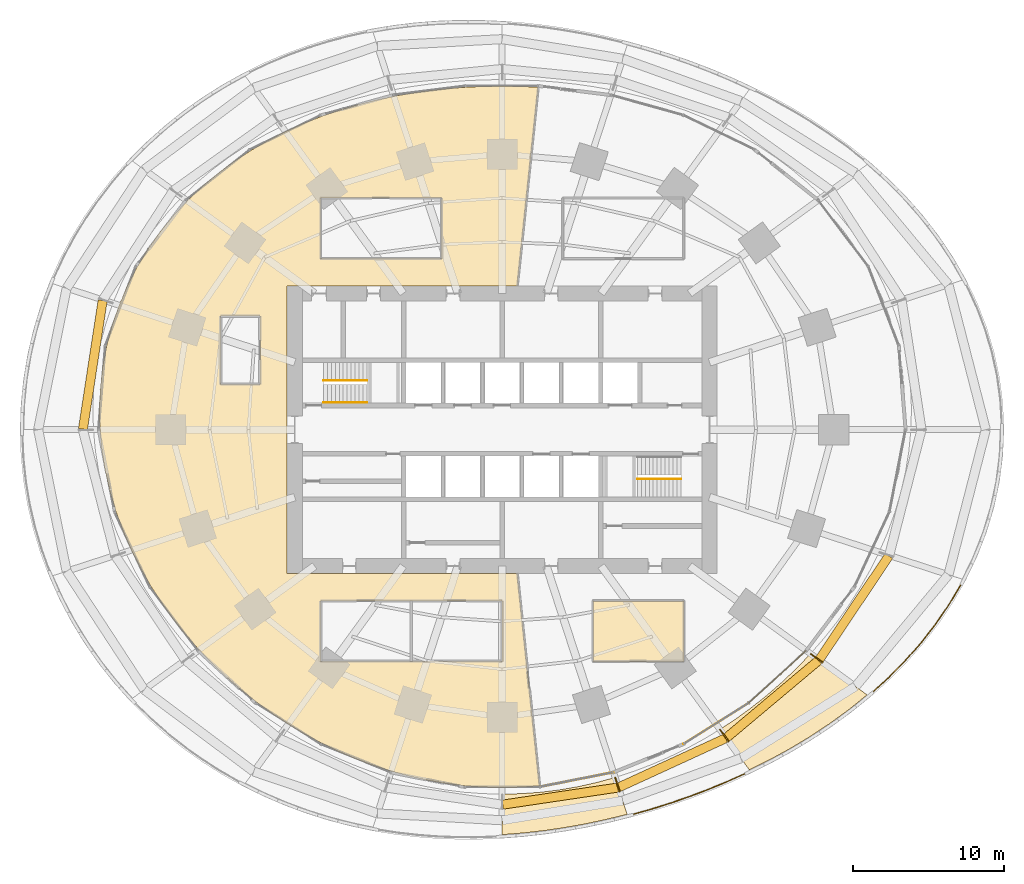
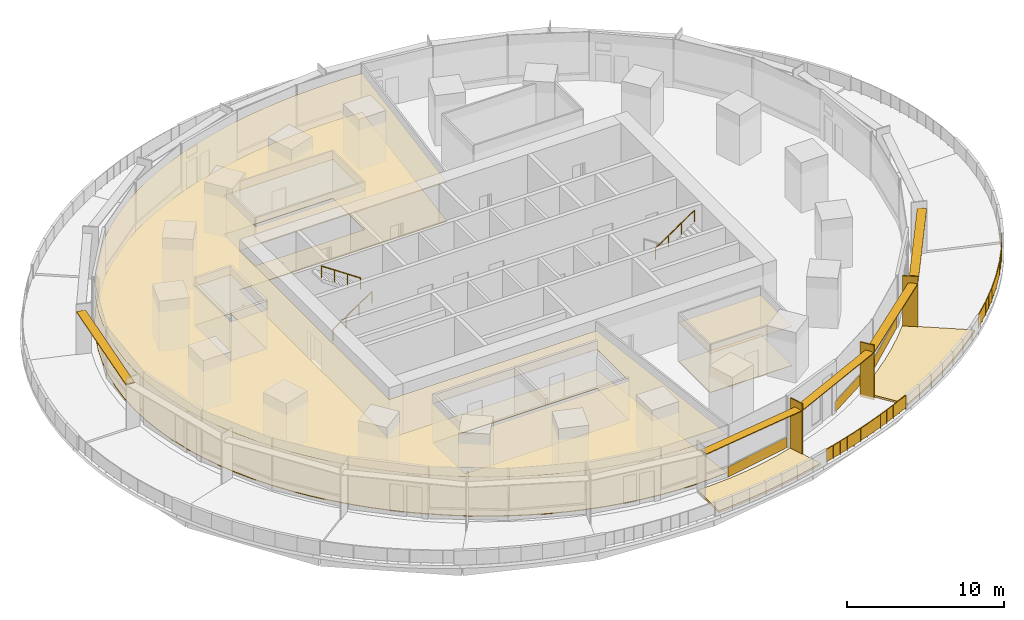
# One storey, part 18 of 20: 9 coverings, 8 shading devices, 5 railings.
"""IFC4 building model written with IfcOpenShell, lengths in metres."""

from ifc_helpers import new_model, si_unit, direction, frame, origin, origin_2d, place, context, subcontext, project, spatial, polyline, rectangle, circle, outline, extrude, material, layer, layer_set, type_object, element, save


model = new_model("IFC4")

# Units and contexts
model_context = context("Model", 3, precision=1e-05, world=origin(), true_north=direction((0.0, 1.0)))
body_context = subcontext(model_context, "Body", "Model", "MODEL_VIEW")
ifc_project = project(units=[si_unit("LENGTHUNIT", "METRE"), si_unit("AREAUNIT", "SQUARE_METRE"), si_unit("VOLUMEUNIT", "CUBIC_METRE"), si_unit("PLANEANGLEUNIT", "RADIAN"), si_unit("MASSUNIT", "GRAM", prefix="KILO")], contexts=[model_context])

# Site, building, storey
site_placement = place(None, origin())
site = spatial("IfcSite", under=ifc_project, at=site_placement, CompositionType="ELEMENT")
building_placement = place(site_placement, origin())
building = spatial("IfcBuilding", under=site, at=building_placement, Name="Marramba Exchange Tower", CompositionType="ELEMENT")
storey_placement = place(building_placement, frame((0.0, 0.0, 19.60009765625)))
storey = spatial("IfcBuildingStorey", under=building, at=storey_placement, Name="L04", CompositionType="ELEMENT", Elevation=19.60009765625)

# Shading devices
ifc_material_1 = material(Name="Aluminium blade, timber-look bronze finish", Category="wood")
ifc_layer_1 = layer(ifc_material_1, 0.080078125)
ifc_layer_set_1 = layer_set([ifc_layer_1], Name="Floor-edge blade 1000x80")
shading_device_type_1 = type_object("IfcShadingDeviceType", Name="Floor-edge blade 1000x80", PredefinedType="USERDEFINED", material=ifc_layer_set_1)
for number, where, z_axis, x_axis, name in (
    (1, (7.61767578125, -23.444580078125, -0.2001953125), (0.0, 0.0, 1.0), (0.309016994375, -0.951056516295, 0.0), "Floor-edge blade FB1 L04 TC17"),
    (2, (14.6787109375, -20.20361328125, -0.2001953125), (0.0, 0.0, 1.0), (0.587785252292, -0.809016994375, 0.0), "Floor-edge blade FB1 L04 TC18"),
    (3, (20.773193359375, -15.092529296875, -0.2001953125), (0.0, 0.0, 1.0), (0.809016994375, -0.587785252292, 0.0), "Floor-edge blade FB1 L04 TC19"),
):
    element("IfcShadingDevice", number, at=place(storey_placement, frame(where, z_axis=z_axis, x_axis=x_axis)), inside=storey, type_object=shading_device_type_1, Name=name, ObjectType="FIN", PredefinedType="USERDEFINED", context=body_context, shape_type="SweptSolid", body=[
        extrude(rectangle(XDim=1.0, YDim=0.080078125, at=origin_2d()), origin(), (0.0, 0.0, 1.0), 4.239990234375),
    ])

# Coverings
ifc_material_2 = material(Name="Extensive green roof: growing medium on drainage cell, filter fabric and root-barrier membrane")
ifc_layer_2 = layer(ifc_material_2, 0.14990234375)
ifc_layer_set_2 = layer_set([ifc_layer_2], Name="Planted roof build-up 150")
covering_type_1 = type_object("IfcCoveringType", Name="Planted roof build-up 150", PredefinedType="ROOFING", material=ifc_layer_set_2)
covering_1_placement = place(storey_placement, origin())
element("IfcCovering", 4, at=covering_1_placement, inside=storey, type_object=covering_type_1, Name="Planted roof build-up L04 bay 16", PredefinedType="ROOFING", context=body_context, shape_type="SweptSolid", body=[
    extrude(outline(polyline([(0.0, -24.072021484375), (1.260009765625, -24.041015625), (2.51708984375, -23.947998046875), (3.7685546875, -23.793701171875), (5.01171875, -23.578369140625), (6.244140625, -23.30322265625), (7.463134765625, -22.968994140625), (8.25537109375, -25.407470703125), (8.25537109375, -25.407470703125), (6.897216796875, -25.74072265625), (5.533203125, -26.031494140625), (4.162109375, -26.279296875), (2.783447265625, -26.48291015625), (1.396240234375, -26.640380859375), (0.0, -26.75), (0.0, -24.072021484375)])), origin(), (0.0, 0.0, 1.0), 0.14990234375),
])
covering_2_placement = place(storey_placement, origin())
element("IfcCovering", 5, at=covering_2_placement, inside=storey, type_object=covering_type_1, Name="Planted roof build-up L04 bay 18", PredefinedType="ROOFING", context=body_context, shape_type="SweptSolid", body=[
    extrude(outline(polyline([(14.385009765625, -19.799072265625), (15.457275390625, -19.088134765625), (16.501953125, -18.327392578125), (17.517578125, -17.517578125), (18.502197265625, -16.659423828125), (19.453369140625, -15.753173828125), (20.36865234375, -14.798583984375), (24.11083984375, -17.517578125), (24.11083984375, -17.517578125), (22.867431640625, -18.517578125), (21.593994140625, -19.443115234375), (20.297607421875, -20.297607421875), (18.98486328125, -21.084716796875), (17.660400390625, -21.808837890625), (16.328125, -22.4736328125), (16.328125, -22.4736328125), (14.385009765625, -19.799072265625)])), origin(), (0.0, 0.0, 1.0), 0.14990234375),
])
ifc_material_3 = material(Name="Steel raised access floor panels", Category="steel")
ifc_layer_3 = layer(ifc_material_3, 0.050048828125)
ifc_layer_set_3 = layer_set([ifc_layer_3], Name="Raised access floor 300")
covering_type_2 = type_object("IfcCoveringType", Name="Raised access floor 300", PredefinedType="FLOORING", material=ifc_layer_set_3)
covering_3_placement = place(storey_placement, frame((0.0, 0.0, 0.25)))
element("IfcCovering", 6, at=covering_3_placement, inside=storey, type_object=covering_type_2, Name="Raised access floor RAF1 L04 Index Operations Office", PredefinedType="FLOORING", context=body_context, shape_type="SweptSolid", body=[
    extrude(outline(polyline([(-14.199951171875, -9.5), (0.99853515625, -9.5), (2.47216796875, -23.5205078125), (1.2373046875, -23.611572265625), (0.0, -23.64208984375), (-1.2373046875, -23.611572265625), (-2.47216796875, -23.5205078125), (-3.701416015625, -23.368896484375), (-4.92236328125, -23.15771484375), (-6.1328125, -22.8876953125), (-7.330078125, -22.56005859375), (-8.512451171875, -22.17578125), (-9.677734375, -21.736328125), (-10.82373046875, -21.242919921875), (-11.94921875, -20.69677734375), (-13.052490234375, -20.09912109375), (-14.132080078125, -19.451171875), (-15.1865234375, -18.75390625), (-16.21435546875, -18.0078125), (-17.213623046875, -17.213623046875), (-18.1826171875, -16.371826171875), (-19.119384765625, -15.482421875), (-20.020751953125, -14.5458984375), (-20.88427734375, -13.5625), (-21.7060546875, -12.531982421875), (-22.482177734375, -11.455322265625), (-23.208251953125, -10.3330078125), (-23.879150390625, -9.166259765625), (-24.489501953125, -7.95703125), (-25.033935546875, -6.707763671875), (-25.50634765625, -5.421630859375), (-25.9013671875, -4.102294921875), (-26.213623046875, -2.755126953125), (-26.43798828125, -1.385498046875), (-26.570068359375, 0.0), (-26.6064453125, 1.394287109375), (-26.544921875, 2.7900390625), (-26.3837890625, 4.1787109375), (-26.123291015625, 5.552734375), (-25.763916015625, 6.9033203125), (-25.30859375, 8.22314453125), (-24.76025390625, 9.50439453125), (-24.12353515625, 10.740478515625), (-23.40380859375, 11.9248046875), (-22.607177734375, 13.05224609375), (-21.740478515625, 14.118408203125), (-20.810791015625, 15.119873046875), (-19.8251953125, 16.05419921875), (-18.791259765625, 16.919677734375), (-17.71630859375, 17.71630859375), (-16.60693359375, 18.44384765625), (-15.4697265625, 19.103759765625), (-14.31103515625, 19.697509765625), (-13.135986328125, 20.2275390625), (-11.94921875, 20.69677734375), (-10.755126953125, 21.10791015625), (-9.556640625, 21.464599609375), (-8.356689453125, 21.76953125), (-7.15673828125, 22.0263671875), (-5.95849609375, 22.23779296875), (-4.7626953125, 22.406982421875), (-3.5693359375, 22.535888671875), (-2.378173828125, 22.62646484375), (-1.188720703125, 22.68017578125), (0.0, 22.697998046875), (1.188720703125, 22.68017578125), (2.378173828125, 22.62646484375), (1.333251953125, 12.685791015625), (0.99853515625, 9.5), (-14.199951171875, 9.5), (-14.199951171875, -9.5)]), holes=[polyline([(-12.0, -15.300048828125), (-6.0, -15.300048828125), (0.0, -15.300048828125), (0.0, -11.300048828125), (-6.0, -11.300048828125), (-12.0, -11.300048828125), (-12.0, -15.300048828125)]), polyline([(-12.0, 11.300048828125), (-4.0, 11.300048828125), (-4.0, 15.300048828125), (-12.0, 15.300048828125), (-12.0, 11.300048828125)]), polyline([(-18.60009765625, 3.0), (-16.0, 3.0), (-16.0, 7.5), (-18.60009765625, 7.5), (-18.60009765625, 3.0)])]), origin(), (0.0, 0.0, 1.0), 0.0498046875),
])
covering_4_placement = place(storey_placement, frame((0.0, 0.0, 0.25)))
element("IfcCovering", 7, at=covering_4_placement, inside=storey, type_object=covering_type_2, Name="Raised access floor RAF1 L04 Pantry", PredefinedType="FLOORING", context=body_context, shape_type="SweptSolid", body=[
    extrude(outline(polyline([(12.0, -15.300048828125), (6.0, -15.300048828125), (6.0, -11.300048828125), (12.0, -11.300048828125), (12.0, -15.300048828125)])), origin(), (0.0, 0.0, 1.0), 0.0498046875),
])

# Shading devices
ifc_material_4 = material(Name="Aluminium sunshade, bronze anodised", Category="aluminium")
ifc_layer_4 = layer(ifc_material_4, 0.06005859375)
ifc_layer_set_4 = layer_set([ifc_layer_4], Name="SUNSHADE blade 600x60")
shading_device_type_2 = type_object("IfcShadingDeviceType", Name="SUNSHADE blade 600x60", PredefinedType="USERDEFINED", material=ifc_layer_set_4)
shading_device_1_placement = place(storey_placement, frame((-27.04150390625, 4.2861328125, 3.4599609375), z_axis=(0.0, 0.0, 1.0), x_axis=(-0.151825486228, -0.988407315701, 0.0)))
element("IfcShadingDevice", 8, at=shading_device_1_placement, inside=storey, type_object=shading_device_type_2, Name="Sunshade SS1 L04 bay 10", ObjectType="SUNSHADE", PredefinedType="USERDEFINED", context=body_context, shape_type="SweptSolid", body=[
    extrude(rectangle(XDim=8.593017578125, YDim=0.60009765625, at=origin_2d()), origin(), (0.0, 0.0, 1.0), 0.06005859375),
])
shading_device_2_placement = place(storey_placement, frame((3.839599609375, -24.203369140625, 3.4599609375), z_axis=(0.0, 0.0, 1.0), x_axis=(0.989212895923, 0.146484970356, 0.0)))
element("IfcShadingDevice", 9, at=shading_device_2_placement, inside=storey, type_object=shading_device_type_2, Name="Sunshade SS1 L04 bay 16", ObjectType="SUNSHADE", PredefinedType="USERDEFINED", context=body_context, shape_type="SweptSolid", body=[
    extrude(rectangle(XDim=7.68310546875, YDim=0.60009765625, at=origin_2d()), origin(), (0.0, 0.0, 1.0), 0.06005859375),
])
shading_device_3_placement = place(storey_placement, frame((11.23779296875, -22.0, 3.4599609375), z_axis=(0.0, 0.0, 1.0), x_axis=(0.908703542008, 0.417442059144, 0.0)))
element("IfcShadingDevice", 10, at=shading_device_3_placement, inside=storey, type_object=shading_device_type_2, Name="Sunshade SS1 L04 bay 17", ObjectType="SUNSHADE", PredefinedType="USERDEFINED", context=body_context, shape_type="SweptSolid", body=[
    extrude(rectangle(XDim=7.751953125, YDim=0.60009765625, at=origin_2d()), origin(), (0.0, 0.0, 1.0), 0.06005859375),
])
shading_device_4_placement = place(storey_placement, frame((17.86572265625, -17.787841796875, 3.4599609375), z_axis=(0.0, 0.0, 1.0), x_axis=(0.765776068523, 0.643107310546, 0.0)))
element("IfcShadingDevice", 11, at=shading_device_4_placement, inside=storey, type_object=shading_device_type_2, Name="Sunshade SS1 L04 bay 18", ObjectType="SUNSHADE", PredefinedType="USERDEFINED", context=body_context, shape_type="SweptSolid", body=[
    extrude(rectangle(XDim=7.936279296875, YDim=0.60009765625, at=origin_2d()), origin(), (0.0, 0.0, 1.0), 0.06005859375),
])
shading_device_5_placement = place(storey_placement, frame((23.24951171875, -11.75830078125, 3.4599609375), z_axis=(0.0, 0.0, 1.0), x_axis=(0.556924164761, 0.830563347798, 0.0)))
element("IfcShadingDevice", 12, at=shading_device_5_placement, inside=storey, type_object=shading_device_type_2, Name="Sunshade SS1 L04 bay 19", ObjectType="SUNSHADE", PredefinedType="USERDEFINED", context=body_context, shape_type="SweptSolid", body=[
    extrude(rectangle(XDim=8.232177734375, YDim=0.60009765625, at=origin_2d()), origin(), (0.0, 0.0, 1.0), 0.06005859375),
])

# Coverings
ifc_material_5 = material(Name="Aluminium spandrel panel, bronze anodised, insulated", Category="aluminium")
ifc_layer_5 = layer(ifc_material_5, 0.050048828125)
ifc_layer_set_5 = layer_set([ifc_layer_5], Name="Spandrel panel 800")
covering_type_3 = type_object("IfcCoveringType", Name="Spandrel panel 800", PredefinedType="CLADDING", material=ifc_layer_set_5)
covering_5_placement = place(storey_placement, frame((4.917724609375, -23.1181640625, 0.0), z_axis=(0.0, 0.0, 1.0), x_axis=(0.981009201842, 0.193961196898, 0.0)))
element("IfcCovering", 13, at=covering_5_placement, inside=storey, type_object=covering_type_3, Name="Spandrel panel SP1 L04 F24", PredefinedType="CLADDING", context=body_context, shape_type="SweptSolid", body=[
    extrude(rectangle(XDim=4.96875, YDim=0.050048828125, at=origin_2d()), origin(), (0.0, 0.0, 1.0), 0.800048828125),
])
covering_6_placement = place(storey_placement, frame((14.128662109375, -19.416748046875, 0.0), z_axis=(0.0, 0.0, 1.0), x_axis=(0.845790829799, 0.533514641062, 0.0)))
element("IfcCovering", 14, at=covering_6_placement, inside=storey, type_object=covering_type_3, Name="Spandrel panel SP1 L04 F26", PredefinedType="CLADDING", context=body_context, shape_type="SweptSolid", body=[
    extrude(rectangle(XDim=5.05859375, YDim=0.050048828125, at=origin_2d()), origin(), (0.0, 0.0, 1.0), 0.800048828125),
])
covering_7_placement = place(storey_placement, frame((18.1767578125, -16.330078125, 0.0), z_axis=(0.0, 0.0, 1.0), x_axis=(0.739589582203, 0.673058132628, 0.0)))
element("IfcCovering", 15, at=covering_7_placement, inside=storey, type_object=covering_type_3, Name="Spandrel panel SP1 L04 F27", PredefinedType="CLADDING", context=body_context, shape_type="SweptSolid", body=[
    extrude(rectangle(XDim=5.161865234375, YDim=0.050048828125, at=origin_2d()), origin(), (0.0, 0.0, 1.0), 0.800048828125),
])

# Railings
ifc_material_6 = material(Name="Stainless steel handrail", Category="steel")
railing_type_1 = type_object("IfcRailingType", Name="Stair handrail 900", PredefinedType="HANDRAIL", material=ifc_material_6)
railing_1_placement = place(storey_placement, frame((-11.800048828125, 1.800048828125, 0.1748046875)))
element("IfcRailing", 16, at=railing_1_placement, inside=storey, type_object=railing_type_1, Name="Handrail HR1 ST1 L04 flight 1", PredefinedType="HANDRAIL", context=body_context, shape_type="SweptSolid", body=[
    extrude(circle(Radius=0.02392578125, at=origin_2d()), frame((0.0, 0.0, 0.8759765625), z_axis=(0.829590901723, 0.0, 0.558371682465), x_axis=(0.0, 1.0, 0.0)), (0.0, 0.0, 1.0), 3.447509765625),
    extrude(circle(Radius=0.02099609375, at=origin_2d()), origin(), (0.0, 0.0, 1.0), 0.851806640625),
    extrude(circle(Radius=0.02099609375, at=origin_2d()), frame((0.953369140625, 0.0, 0.6416015625)), (0.0, 0.0, 1.0), 0.851806640625),
    extrude(circle(Radius=0.02099609375, at=origin_2d()), frame((1.90673828125, 0.0, 1.283447265625)), (0.0, 0.0, 1.0), 0.851806640625),
    extrude(circle(Radius=0.02099609375, at=origin_2d()), frame((2.860107421875, 0.0, 1.925048828125)), (0.0, 0.0, 1.0), 0.851806640625),
])
railing_2_placement = place(storey_placement, frame((-8.93994140625, 3.25, 2.27490234375)))
element("IfcRailing", 17, at=railing_2_placement, inside=storey, type_object=railing_type_1, Name="Handrail HR1 ST1 L04 flight 2", PredefinedType="HANDRAIL", context=body_context, shape_type="SweptSolid", body=[
    extrude(circle(Radius=0.02392578125, at=origin_2d()), frame((0.0, 0.0, 0.8759765625), z_axis=(-0.829590901723, 0.0, 0.558371682465), x_axis=(0.0, -1.0, 0.0)), (0.0, 0.0, 1.0), 3.447509765625),
    extrude(circle(Radius=0.02099609375, at=origin_2d()), origin(), (0.0, 0.0, 1.0), 0.851806640625),
    extrude(circle(Radius=0.02099609375, at=origin_2d()), frame((-0.953369140625, 0.0, 0.6416015625)), (0.0, 0.0, 1.0), 0.851806640625),
    extrude(circle(Radius=0.02099609375, at=origin_2d()), frame((-1.90673828125, 0.0, 1.283447265625)), (0.0, 0.0, 1.0), 0.851806640625),
    extrude(circle(Radius=0.02099609375, at=origin_2d()), frame((-2.860107421875, 0.0, 1.925048828125)), (0.0, 0.0, 1.0), 0.851806640625),
])
railing_3_placement = place(storey_placement, frame((8.93994140625, -3.25, 2.27490234375)))
element("IfcRailing", 18, at=railing_3_placement, inside=storey, type_object=railing_type_1, Name="Handrail HR1 ST2 L04 flight 2", PredefinedType="HANDRAIL", context=body_context, shape_type="SweptSolid", body=[
    extrude(circle(Radius=0.02392578125, at=origin_2d()), frame((0.0, 0.0, 0.8759765625), z_axis=(0.829590901723, 0.0, 0.558371682465), x_axis=(0.0, 1.0, 0.0)), (0.0, 0.0, 1.0), 3.447509765625),
    extrude(circle(Radius=0.02099609375, at=origin_2d()), origin(), (0.0, 0.0, 1.0), 0.851806640625),
    extrude(circle(Radius=0.02099609375, at=origin_2d()), frame((0.953369140625, 0.0, 0.6416015625)), (0.0, 0.0, 1.0), 0.851806640625),
    extrude(circle(Radius=0.02099609375, at=origin_2d()), frame((1.90673828125, 0.0, 1.283447265625)), (0.0, 0.0, 1.0), 0.851806640625),
    extrude(circle(Radius=0.02099609375, at=origin_2d()), frame((2.860107421875, 0.0, 1.925048828125)), (0.0, 0.0, 1.0), 0.851806640625),
])

# Coverings
ifc_material_7 = material(Name="Mineral fibre ceiling tiles", Category="gypsum")
ifc_layer_6 = layer(ifc_material_7, 0.02001953125)
ifc_layer_set_6 = layer_set([ifc_layer_6], Name="Suspended ceiling 20")
covering_type_4 = type_object("IfcCoveringType", Name="Suspended ceiling 20", PredefinedType="CEILING", material=ifc_layer_set_6)
covering_8_placement = place(storey_placement, frame((0.0, 0.0, 3.2998046875)))
element("IfcCovering", 19, at=covering_8_placement, inside=storey, type_object=covering_type_4, Name="Ceiling CL1 L04 Index Operations Office", PredefinedType="CEILING", context=body_context, shape_type="SweptSolid", body=[
    extrude(outline(polyline([(-14.199951171875, -9.5), (0.99853515625, -9.5), (2.47216796875, -23.5205078125), (1.2373046875, -23.611572265625), (0.0, -23.64208984375), (-1.2373046875, -23.611572265625), (-2.47216796875, -23.5205078125), (-3.701416015625, -23.368896484375), (-4.92236328125, -23.15771484375), (-6.1328125, -22.8876953125), (-7.330078125, -22.56005859375), (-8.512451171875, -22.17578125), (-9.677734375, -21.736328125), (-10.82373046875, -21.242919921875), (-11.94921875, -20.69677734375), (-13.052490234375, -20.09912109375), (-14.132080078125, -19.451171875), (-15.1865234375, -18.75390625), (-16.21435546875, -18.0078125), (-17.213623046875, -17.213623046875), (-18.1826171875, -16.371826171875), (-19.119384765625, -15.482421875), (-20.020751953125, -14.5458984375), (-20.88427734375, -13.5625), (-21.7060546875, -12.531982421875), (-22.482177734375, -11.455322265625), (-23.208251953125, -10.3330078125), (-23.879150390625, -9.166259765625), (-24.489501953125, -7.95703125), (-25.033935546875, -6.707763671875), (-25.50634765625, -5.421630859375), (-25.9013671875, -4.102294921875), (-26.213623046875, -2.755126953125), (-26.43798828125, -1.385498046875), (-26.570068359375, 0.0), (-26.6064453125, 1.394287109375), (-26.544921875, 2.7900390625), (-26.3837890625, 4.1787109375), (-26.123291015625, 5.552734375), (-25.763916015625, 6.9033203125), (-25.30859375, 8.22314453125), (-24.76025390625, 9.50439453125), (-24.12353515625, 10.740478515625), (-23.40380859375, 11.9248046875), (-22.607177734375, 13.05224609375), (-21.740478515625, 14.118408203125), (-20.810791015625, 15.119873046875), (-19.8251953125, 16.05419921875), (-18.791259765625, 16.919677734375), (-17.71630859375, 17.71630859375), (-16.60693359375, 18.44384765625), (-15.4697265625, 19.103759765625), (-14.31103515625, 19.697509765625), (-13.135986328125, 20.2275390625), (-11.94921875, 20.69677734375), (-10.755126953125, 21.10791015625), (-9.556640625, 21.464599609375), (-8.356689453125, 21.76953125), (-7.15673828125, 22.0263671875), (-5.95849609375, 22.23779296875), (-4.7626953125, 22.406982421875), (-3.5693359375, 22.535888671875), (-2.378173828125, 22.62646484375), (-1.188720703125, 22.68017578125), (0.0, 22.697998046875), (1.188720703125, 22.68017578125), (2.378173828125, 22.62646484375), (1.333251953125, 12.685791015625), (0.99853515625, 9.5), (-14.199951171875, 9.5), (-14.199951171875, -9.5)]), holes=[polyline([(-12.0, -15.300048828125), (-6.0, -15.300048828125), (0.0, -15.300048828125), (0.0, -11.300048828125), (-6.0, -11.300048828125), (-12.0, -11.300048828125), (-12.0, -15.300048828125)]), polyline([(-12.0, 11.300048828125), (-4.0, 11.300048828125), (-4.0, 15.300048828125), (-12.0, 15.300048828125), (-12.0, 11.300048828125)]), polyline([(-18.60009765625, 3.0), (-16.0, 3.0), (-16.0, 7.5), (-18.60009765625, 7.5), (-18.60009765625, 3.0)])]), origin(), (0.0, 0.0, 1.0), 0.02001953125),
])
covering_9_placement = place(storey_placement, frame((0.0, 0.0, 3.2998046875)))
element("IfcCovering", 20, at=covering_9_placement, inside=storey, type_object=covering_type_4, Name="Ceiling CL1 L04 Pantry", PredefinedType="CEILING", context=body_context, shape_type="SweptSolid", body=[
    extrude(outline(polyline([(12.0, -15.300048828125), (6.0, -15.300048828125), (6.0, -11.300048828125), (12.0, -11.300048828125), (12.0, -15.300048828125)])), origin(), (0.0, 0.0, 1.0), 0.02001953125),
])

# Railings
ifc_material_8 = material(Name="Bronze anodised aluminium and laminated glass guard", Category="aluminium")
railing_type_2 = type_object("IfcRailingType", Name="Terrace guard 1100", PredefinedType="GUARDRAIL", material=ifc_material_8)
railing_4_placement = place(storey_placement, frame((8.671630859375, -25.39990234375, 0.0)))
element("IfcRailing", 21, at=railing_4_placement, inside=storey, type_object=railing_type_2, Name="Terrace guard GR1 L04 bay 17", PredefinedType="GUARDRAIL", context=body_context, shape_type="SweptSolid", body=[
    extrude(circle(Radius=0.02392578125, at=origin_2d()), frame((0.0, 0.0, 1.076171875), z_axis=(0.96158147784, 0.274519692326, 0.0), x_axis=(-0.274519692326, 0.96158147784, 0.0)), (0.0, 0.0, 1.0), 1.28076171875),
    extrude(circle(Radius=0.02392578125, at=origin_2d()), frame((1.2314453125, 0.3515625, 1.076171875), z_axis=(0.953711451219, 0.300723241225, 0.0), x_axis=(-0.300723241225, 0.953711451219, 0.0)), (0.0, 0.0, 1.0), 1.288330078125),
    extrude(circle(Radius=0.02392578125, at=origin_2d()), frame((2.460205078125, 0.739013671875, 1.076171875), z_axis=(0.945066589097, 0.326877870423, 0.0), x_axis=(-0.326877870423, 0.945066589097, 0.0)), (0.0, 0.0, 1.0), 1.29736328125),
    extrude(circle(Radius=0.02392578125, at=origin_2d()), frame((3.686279296875, 1.1630859375, 1.076171875), z_axis=(0.935374712095, 0.353658236117, 0.0), x_axis=(-0.353658236117, 0.935374712095, 0.0)), (0.0, 0.0, 1.0), 1.30810546875),
    extrude(circle(Radius=0.02392578125, at=origin_2d()), frame((4.909912109375, 1.625732421875, 1.076171875), z_axis=(0.924812031207, 0.380424377418, 0.0), x_axis=(-0.380424377418, 0.924812031207, 0.0)), (0.0, 0.0, 1.0), 1.32080078125),
    extrude(circle(Radius=0.02392578125, at=origin_2d()), frame((6.13134765625, 2.128173828125, 1.076171875), z_axis=(0.912873863975, 0.408241727989, 0.0), x_axis=(-0.408241727989, 0.912873863975, 0.0)), (0.0, 0.0, 1.0), 1.334716796875),
    extrude(circle(Radius=0.02099609375, at=origin_2d()), origin(), (0.0, 0.0, 1.0), 1.052001953125),
    extrude(circle(Radius=0.02099609375, at=origin_2d()), frame((0.61572265625, 0.17578125, 0.0)), (0.0, 0.0, 1.0), 1.052001953125),
    extrude(circle(Radius=0.02099609375, at=origin_2d()), frame((1.2314453125, 0.3515625, 0.0)), (0.0, 0.0, 1.0), 1.052001953125),
    extrude(circle(Radius=0.02099609375, at=origin_2d()), frame((1.845703125, 0.54541015625, 0.0)), (0.0, 0.0, 1.0), 1.052001953125),
    extrude(circle(Radius=0.02099609375, at=origin_2d()), frame((2.460205078125, 0.739013671875, 0.0)), (0.0, 0.0, 1.0), 1.052001953125),
    extrude(circle(Radius=0.02099609375, at=origin_2d()), frame((3.0732421875, 0.951171875, 0.0)), (0.0, 0.0, 1.0), 1.052001953125),
    extrude(circle(Radius=0.02099609375, at=origin_2d()), frame((3.686279296875, 1.1630859375, 0.0)), (0.0, 0.0, 1.0), 1.052001953125),
    extrude(circle(Radius=0.02099609375, at=origin_2d()), frame((4.298095703125, 1.39453125, 0.0)), (0.0, 0.0, 1.0), 1.052001953125),
    extrude(circle(Radius=0.02099609375, at=origin_2d()), frame((4.909912109375, 1.625732421875, 0.0)), (0.0, 0.0, 1.0), 1.052001953125),
    extrude(circle(Radius=0.02099609375, at=origin_2d()), frame((5.5205078125, 1.876953125, 0.0)), (0.0, 0.0, 1.0), 1.052001953125),
    extrude(circle(Radius=0.02099609375, at=origin_2d()), frame((6.13134765625, 2.128173828125, 0.0)), (0.0, 0.0, 1.0), 1.052001953125),
    extrude(circle(Radius=0.02099609375, at=origin_2d()), frame((6.74072265625, 2.400634765625, 0.0)), (0.0, 0.0, 1.0), 1.052001953125),
    extrude(circle(Radius=0.02099609375, at=origin_2d()), frame((7.349853515625, 2.673095703125, 0.0)), (0.0, 0.0, 1.0), 1.052001953125),
    extrude(rectangle(XDim=0.622314453125, YDim=0.02001953125, at=origin_2d()), frame((0.307861328125, 0.087890625, 0.10009765625), z_axis=(0.0, 0.0, 1.0), x_axis=(0.96158147784, 0.274519692326, 0.0)), (0.0, 0.0, 1.0), 0.951904296875),
    extrude(rectangle(XDim=0.622314453125, YDim=0.02001953125, at=origin_2d()), frame((0.923583984375, 0.263671875, 0.10009765625), z_axis=(0.0, 0.0, 1.0), x_axis=(0.96158147784, 0.274519692326, 0.0)), (0.0, 0.0, 1.0), 0.951904296875),
    extrude(rectangle(XDim=0.626220703125, YDim=0.02001953125, at=origin_2d()), frame((1.53857421875, 0.448486328125, 0.10009765625), z_axis=(0.0, 0.0, 1.0), x_axis=(0.953711451219, 0.300723241225, 0.0)), (0.0, 0.0, 1.0), 0.951904296875),
    extrude(rectangle(XDim=0.626220703125, YDim=0.02001953125, at=origin_2d()), frame((2.153076171875, 0.64208984375, 0.10009765625), z_axis=(0.0, 0.0, 1.0), x_axis=(0.953711451219, 0.300723241225, 0.0)), (0.0, 0.0, 1.0), 0.951904296875),
    extrude(rectangle(XDim=0.630615234375, YDim=0.02001953125, at=origin_2d()), frame((2.7666015625, 0.844970703125, 0.10009765625), z_axis=(0.0, 0.0, 1.0), x_axis=(0.945066589097, 0.326877870423, 0.0)), (0.0, 0.0, 1.0), 0.951904296875),
    extrude(rectangle(XDim=0.630615234375, YDim=0.02001953125, at=origin_2d()), frame((3.3798828125, 1.05712890625, 0.10009765625), z_axis=(0.0, 0.0, 1.0), x_axis=(0.945066589097, 0.326877870423, 0.0)), (0.0, 0.0, 1.0), 0.951904296875),
    extrude(rectangle(XDim=0.635986328125, YDim=0.02001953125, at=origin_2d()), frame((3.9921875, 1.27880859375, 0.10009765625), z_axis=(0.0, 0.0, 1.0), x_axis=(0.935374712095, 0.353658236117, 0.0)), (0.0, 0.0, 1.0), 0.951904296875),
    extrude(rectangle(XDim=0.635986328125, YDim=0.02001953125, at=origin_2d()), frame((4.60400390625, 1.510009765625, 0.10009765625), z_axis=(0.0, 0.0, 1.0), x_axis=(0.935374712095, 0.353658236117, 0.0)), (0.0, 0.0, 1.0), 0.951904296875),
    extrude(rectangle(XDim=0.642333984375, YDim=0.02001953125, at=origin_2d()), frame((5.21533203125, 1.75146484375, 0.10009765625), z_axis=(0.0, 0.0, 1.0), x_axis=(0.924812031207, 0.380424377418, 0.0)), (0.0, 0.0, 1.0), 0.951904296875),
    extrude(rectangle(XDim=0.642333984375, YDim=0.02001953125, at=origin_2d()), frame((5.825927734375, 2.00244140625, 0.10009765625), z_axis=(0.0, 0.0, 1.0), x_axis=(0.924812031207, 0.380424377418, 0.0)), (0.0, 0.0, 1.0), 0.951904296875),
    extrude(rectangle(XDim=0.6494140625, YDim=0.02001953125, at=origin_2d()), frame((6.43603515625, 2.264404296875, 0.10009765625), z_axis=(0.0, 0.0, 1.0), x_axis=(0.912873863975, 0.408241727989, 0.0)), (0.0, 0.0, 1.0), 0.951904296875),
    extrude(rectangle(XDim=0.6494140625, YDim=0.02001953125, at=origin_2d()), frame((7.045166015625, 2.536865234375, 0.10009765625), z_axis=(0.0, 0.0, 1.0), x_axis=(0.912873863975, 0.408241727989, 0.0)), (0.0, 0.0, 1.0), 0.951904296875),
])
railing_5_placement = place(storey_placement, frame((24.502685546875, -17.308837890625, 0.0)))
element("IfcRailing", 22, at=railing_5_placement, inside=storey, type_object=railing_type_2, Name="Terrace guard GR1 L04 bay 19", PredefinedType="GUARDRAIL", context=body_context, shape_type="SweptSolid", body=[
    extrude(circle(Radius=0.02392578125, at=origin_2d()), frame((0.0, 0.0, 1.076171875), z_axis=(0.73711339697, 0.675769072988, 0.0), x_axis=(-0.675769072988, 0.73711339697, 0.0)), (0.0, 0.0, 1.0), 1.492431640625),
    extrude(circle(Radius=0.02392578125, at=origin_2d()), frame((1.10009765625, 1.008544921875, 1.076171875), z_axis=(0.700930107384, 0.713229966114, 0.0), x_axis=(-0.713229966114, 0.700930107384, 0.0)), (0.0, 0.0, 1.0), 1.508544921875),
    extrude(circle(Radius=0.02392578125, at=origin_2d()), frame((2.157470703125, 2.08447265625, 1.076171875), z_axis=(0.660794114463, 0.750567211042, 0.0), x_axis=(-0.750567211042, 0.660794114463, 0.0)), (0.0, 0.0, 1.0), 1.52294921875),
    extrude(circle(Radius=0.02392578125, at=origin_2d()), frame((3.163818359375, 3.2275390625, 1.076171875), z_axis=(0.616051092724, 0.78770619596, 0.0), x_axis=(-0.78770619596, 0.616051092724, 0.0)), (0.0, 0.0, 1.0), 1.5361328125),
    extrude(circle(Radius=0.02392578125, at=origin_2d()), frame((4.110107421875, 4.4375, 1.076171875), z_axis=(0.566656024427, 0.823954458681, 0.0), x_axis=(-0.823954458681, 0.566656024427, 0.0)), (0.0, 0.0, 1.0), 1.547607421875),
    extrude(circle(Radius=0.02392578125, at=origin_2d()), frame((4.987060546875, 5.712646484375, 1.076171875), z_axis=(0.512627167196, 0.858611313373, 0.0), x_axis=(-0.858611313373, 0.512627167196, 0.0)), (0.0, 0.0, 1.0), 1.557373046875),
    extrude(circle(Radius=0.02099609375, at=origin_2d()), origin(), (0.0, 0.0, 1.0), 1.052001953125),
    extrude(circle(Radius=0.02099609375, at=origin_2d()), frame((0.550048828125, 0.50439453125, 0.0)), (0.0, 0.0, 1.0), 1.052001953125),
    extrude(circle(Radius=0.02099609375, at=origin_2d()), frame((1.10009765625, 1.008544921875, 0.0)), (0.0, 0.0, 1.0), 1.052001953125),
    extrude(circle(Radius=0.02099609375, at=origin_2d()), frame((1.62890625, 1.54638671875, 0.0)), (0.0, 0.0, 1.0), 1.052001953125),
    extrude(circle(Radius=0.02099609375, at=origin_2d()), frame((2.157470703125, 2.08447265625, 0.0)), (0.0, 0.0, 1.0), 1.052001953125),
    extrude(circle(Radius=0.02099609375, at=origin_2d()), frame((2.66064453125, 2.656005859375, 0.0)), (0.0, 0.0, 1.0), 1.052001953125),
    extrude(circle(Radius=0.02099609375, at=origin_2d()), frame((3.163818359375, 3.2275390625, 0.0)), (0.0, 0.0, 1.0), 1.052001953125),
    extrude(circle(Radius=0.02099609375, at=origin_2d()), frame((3.636962890625, 3.83251953125, 0.0)), (0.0, 0.0, 1.0), 1.052001953125),
    extrude(circle(Radius=0.02099609375, at=origin_2d()), frame((4.110107421875, 4.4375, 0.0)), (0.0, 0.0, 1.0), 1.052001953125),
    extrude(circle(Radius=0.02099609375, at=origin_2d()), frame((4.548583984375, 5.0751953125, 0.0)), (0.0, 0.0, 1.0), 1.052001953125),
    extrude(circle(Radius=0.02099609375, at=origin_2d()), frame((4.987060546875, 5.712646484375, 0.0)), (0.0, 0.0, 1.0), 1.052001953125),
    extrude(circle(Radius=0.02099609375, at=origin_2d()), frame((5.38623046875, 6.38134765625, 0.0)), (0.0, 0.0, 1.0), 1.052001953125),
    extrude(circle(Radius=0.02099609375, at=origin_2d()), frame((5.785400390625, 7.0498046875, 0.0)), (0.0, 0.0, 1.0), 1.052001953125),
    extrude(rectangle(XDim=0.728271484375, YDim=0.02001953125, at=origin_2d()), frame((0.27490234375, 0.252197265625, 0.10009765625), z_axis=(0.0, 0.0, 1.0), x_axis=(0.73711339697, 0.675769072988, 0.0)), (0.0, 0.0, 1.0), 0.951904296875),
    extrude(rectangle(XDim=0.728271484375, YDim=0.02001953125, at=origin_2d()), frame((0.8251953125, 0.75634765625, 0.10009765625), z_axis=(0.0, 0.0, 1.0), x_axis=(0.73711339697, 0.675769072988, 0.0)), (0.0, 0.0, 1.0), 0.951904296875),
    extrude(rectangle(XDim=0.736328125, YDim=0.02001953125, at=origin_2d()), frame((1.364501953125, 1.277587890625, 0.10009765625), z_axis=(0.0, 0.0, 1.0), x_axis=(0.700930107384, 0.713229966114, 0.0)), (0.0, 0.0, 1.0), 0.951904296875),
    extrude(rectangle(XDim=0.736328125, YDim=0.02001953125, at=origin_2d()), frame((1.89306640625, 1.8154296875, 0.10009765625), z_axis=(0.0, 0.0, 1.0), x_axis=(0.700930107384, 0.713229966114, 0.0)), (0.0, 0.0, 1.0), 0.951904296875),
    extrude(rectangle(XDim=0.743408203125, YDim=0.02001953125, at=origin_2d()), frame((2.4091796875, 2.3701171875, 0.10009765625), z_axis=(0.0, 0.0, 1.0), x_axis=(0.660794114463, 0.750567211042, 0.0)), (0.0, 0.0, 1.0), 0.951904296875),
    extrude(rectangle(XDim=0.743408203125, YDim=0.02001953125, at=origin_2d()), frame((2.912109375, 2.94189453125, 0.10009765625), z_axis=(0.0, 0.0, 1.0), x_axis=(0.660794114463, 0.750567211042, 0.0)), (0.0, 0.0, 1.0), 0.951904296875),
    extrude(rectangle(XDim=0.75, YDim=0.02001953125, at=origin_2d()), frame((3.400390625, 3.530029296875, 0.10009765625), z_axis=(0.0, 0.0, 1.0), x_axis=(0.616051092724, 0.78770619596, 0.0)), (0.0, 0.0, 1.0), 0.951904296875),
    extrude(rectangle(XDim=0.75, YDim=0.02001953125, at=origin_2d()), frame((3.87353515625, 4.135009765625, 0.10009765625), z_axis=(0.0, 0.0, 1.0), x_axis=(0.616051092724, 0.78770619596, 0.0)), (0.0, 0.0, 1.0), 0.951904296875),
    extrude(rectangle(XDim=0.755859375, YDim=0.02001953125, at=origin_2d()), frame((4.329345703125, 4.75634765625, 0.10009765625), z_axis=(0.0, 0.0, 1.0), x_axis=(0.566656024427, 0.823954458681, 0.0)), (0.0, 0.0, 1.0), 0.951904296875),
    extrude(rectangle(XDim=0.755859375, YDim=0.02001953125, at=origin_2d()), frame((4.767822265625, 5.393798828125, 0.10009765625), z_axis=(0.0, 0.0, 1.0), x_axis=(0.566656024427, 0.823954458681, 0.0)), (0.0, 0.0, 1.0), 0.951904296875),
    extrude(rectangle(XDim=0.7607421875, YDim=0.02001953125, at=origin_2d()), frame((5.1865234375, 6.046875, 0.10009765625), z_axis=(0.0, 0.0, 1.0), x_axis=(0.512627167196, 0.858611313373, 0.0)), (0.0, 0.0, 1.0), 0.951904296875),
    extrude(rectangle(XDim=0.7607421875, YDim=0.02001953125, at=origin_2d()), frame((5.5859375, 6.715576171875, 0.10009765625), z_axis=(0.0, 0.0, 1.0), x_axis=(0.512627167196, 0.858611313373, 0.0)), (0.0, 0.0, 1.0), 0.951904296875),
])

save(model, "model.ifc")
